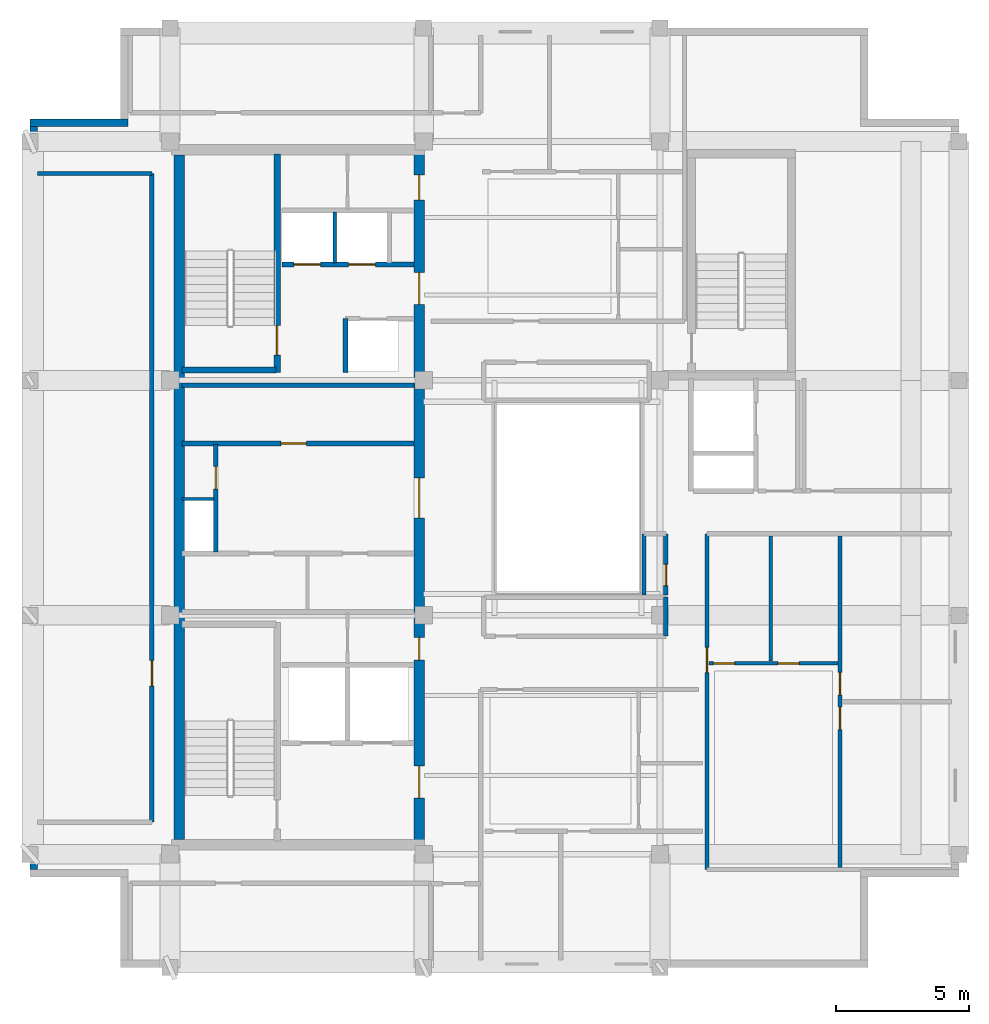
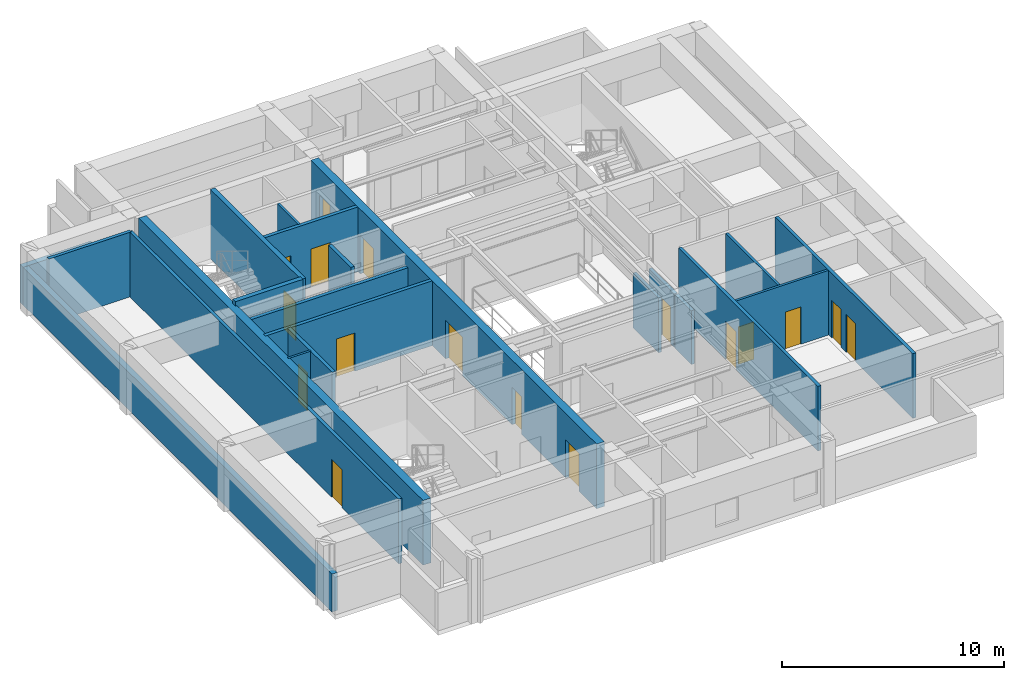
# One storey, part 3 of 6: 22 walls, 17 doors, 17 openings.
"""IFC4 building model written with IfcOpenShell, lengths in metres."""

import ifcopenshell
import ifcopenshell.guid

model = None  # the IFC model being written
_history = None  # IfcOwnerHistory: only IFC2X3 demands one
_inside = {}  # id of a spatial element -> (the spatial element, [elements in it])
_under = {}  # id of a project, library or spatial element -> (it, [spatial elements below it])
_declared = {}  # id of a project -> (the project, [libraries it declares])
_typed = {}  # id of a type object -> (the type object, [elements of that type])
_made_of = {}  # id of a material, layer set ... -> (it, [elements and type objects made of it])


def new_model(schema):
    """Start an empty IFC model of exactly this schema.

    Asked for "IFC4X3", IfcOpenShell would pick the latest addendum, in which some entities
    have other attributes; the version numbers below select the first issue.
    IFC2X3 requires an IfcOwnerHistory on every rooted entity: one is made here for all.
    """
    global model, _history
    if schema == "IFC4X3":
        model = ifcopenshell.file(schema_version=(4, 3, 0, 0))
    else:
        model = ifcopenshell.file(schema=schema)
    _inside.clear()
    _under.clear()
    _declared.clear()
    _typed.clear()
    _made_of.clear()
    _history = None
    if model.schema == "IFC2X3":
        org = make("IfcOrganization", Name="unknown")
        user = make(
            "IfcPersonAndOrganization",
            ThePerson=make("IfcPerson", FamilyName="unknown"),
            TheOrganization=org,
        )
        app = make(
            "IfcApplication",
            ApplicationDeveloper=org,
            Version="unknown",
            ApplicationFullName="unknown",
            ApplicationIdentifier="unknown",
        )
        _history = make(
            "IfcOwnerHistory",
            OwningUser=user,
            OwningApplication=app,
            ChangeAction="ADDED",
            CreationDate=0,
        )
    return model


def make(cls, **values):
    """One entity of the class cls with the attributes given. An attribute that is None is left unset."""
    return model.create_entity(
        cls, **{name: value for name, value in values.items() if value is not None}
    )


def rooted(cls, **values):
    """An entity with a GlobalId (a new one), such as an element, a storey or a relation."""
    return make(cls, GlobalId=ifcopenshell.guid.new(), OwnerHistory=_history, **values)


def si_unit(unit_type, name, prefix=None):
    """IfcSIUnit, for example si_unit("LENGTHUNIT", "METRE", prefix="MILLI")."""
    return make("IfcSIUnit", UnitType=unit_type, Prefix=prefix, Name=name)


def assignment(units):
    """IfcUnitAssignment: the units of a project."""
    return None if units is None else make("IfcUnitAssignment", Units=units)


def point(xyz):
    """IfcCartesianPoint."""
    return None if xyz is None else make("IfcCartesianPoint", Coordinates=xyz)


def direction(xyz):
    """IfcDirection."""
    return None if xyz is None else make("IfcDirection", DirectionRatios=xyz)


def frame(location, z_axis=None, x_axis=None):
    """IfcAxis2Placement3D, a coordinate frame: its origin and axes. An axis left out is left unset."""
    return make(
        "IfcAxis2Placement3D",
        Location=point(location),
        Axis=direction(z_axis),
        RefDirection=direction(x_axis),
    )


def frame_2d(location, x_axis=None):
    """IfcAxis2Placement2D, a coordinate frame in the plane: its origin and x axis."""
    return make(
        "IfcAxis2Placement2D", Location=point(location), RefDirection=direction(x_axis)
    )


def origin():
    """The frame at (0, 0, 0) with its axes left unset."""
    return frame((0.0, 0.0, 0.0))


def place(relative_to, where):
    """IfcLocalPlacement: puts the frame where relative to a parent placement (None: the world)."""
    return make(
        "IfcLocalPlacement", PlacementRelTo=relative_to, RelativePlacement=where
    )


def context(
    kind, dimensions, precision=None, world=None, true_north=None, identifier=None
):
    """IfcGeometricRepresentationContext, for example the 3D "Model" context."""
    return make(
        "IfcGeometricRepresentationContext",
        ContextIdentifier=identifier,
        ContextType=kind,
        CoordinateSpaceDimension=dimensions,
        Precision=precision,
        WorldCoordinateSystem=world,
        TrueNorth=true_north,
    )


def subcontext(parent, identifier, kind, view, scale=None):
    """IfcGeometricRepresentationSubContext, for example "Body" below "Model"."""
    return make(
        "IfcGeometricRepresentationSubContext",
        ContextIdentifier=identifier,
        ContextType=kind,
        ParentContext=parent,
        TargetScale=scale,
        TargetView=view,
    )


def project(units=None, contexts=None):
    """IfcProject with its units and contexts."""
    return rooted(
        "IfcProject",
        Name="project",
        RepresentationContexts=contexts,
        UnitsInContext=assignment(units),
    )


def spatial(cls, under=None, at=None, **own):
    """A site, building, storey or space (cls), placed at a placement, below another one or the project."""
    s = rooted(cls, ObjectPlacement=at, **own)
    if under is not None:
        _under.setdefault(under.id(), (under, []))[1].append(s)
    return s


def profile(cls, at=None, kind="AREA", **sizes):
    """A parametric profile (cls). Its sizes go by their IFC names, for example OverallWidth=200.0."""
    return make(cls, ProfileType=kind, Position=at, **sizes)


def rectangle(**sizes):
    """IfcRectangleProfileDef."""
    return profile("IfcRectangleProfileDef", **sizes)


def extrude(swept, where, along, depth):
    """IfcExtrudedAreaSolid: the profile swept, set in the frame where, extruded along a direction by depth."""
    return make(
        "IfcExtrudedAreaSolid",
        SweptArea=swept,
        Position=where,
        ExtrudedDirection=direction(along),
        Depth=depth,
    )


def shape(context_of_items, identifier, shape_type, items):
    """IfcShapeRepresentation: the items that make up one representation, for example the "Body"."""
    return make(
        "IfcShapeRepresentation",
        ContextOfItems=context_of_items,
        RepresentationIdentifier=identifier,
        RepresentationType=shape_type,
        Items=items,
    )


def material(Name=None, Category=None):
    """IfcMaterial."""
    return make("IfcMaterial", Name=Name, Category=Category)


def layer(
    of_material, thickness, ventilated=None, Name=None, Category=None, Priority=None
):
    """IfcMaterialLayer: one layer of a wall or slab, of a material (None: an air gap)."""
    return make(
        "IfcMaterialLayer",
        Material=of_material,
        LayerThickness=thickness,
        IsVentilated=ventilated,
        Name=Name,
        Category=Category,
        Priority=Priority,
    )


def layer_set(layers, Name=None):
    """IfcMaterialLayerSet."""
    return make("IfcMaterialLayerSet", MaterialLayers=layers, LayerSetName=Name)


def made_of(thing, what):
    """Note that an element or type object is made of a material, layer set ...; save() writes the relation."""
    if what is not None:
        _made_of.setdefault(what.id(), (what, []))[1].append(thing)
    return thing


def type_object(cls, material=None, **own):
    """A type object (cls), such as IfcWallType, which elements share."""
    return made_of(rooted(cls, **own), material)


def element(
    cls,
    number,
    at=None,
    inside=None,
    cuts=None,
    type_object=None,
    material=None,
    context=None,
    identifier="Body",
    shape_type=None,
    held_by="IfcProductDefinitionShape",
    body=None,
    shapes=None,
    **own,
):
    """One element of the class cls, such as IfcWall. Its Tag is "e" and its number.

    at: its placement. inside: the storey or other place that contains it. cuts: it is an
    opening in that element (IfcRelVoidsElement). A single representation is given by context,
    identifier, shape_type and body (its items); several are given by shapes. held_by: the class
    of the entity that holds the representations. save() writes the other relations.
    """
    e = rooted(cls, Tag="e%d" % number, ObjectPlacement=at, **own)
    if body is not None:
        shapes = [shape(context, identifier, shape_type, body)]
    if shapes is not None:
        e.Representation = make(held_by, Representations=shapes)
    if inside is not None:
        _inside.setdefault(inside.id(), (inside, []))[1].append(e)
    if cuts is not None:
        rooted(
            "IfcRelVoidsElement", RelatingBuildingElement=cuts, RelatedOpeningElement=e
        )
    if type_object is not None:
        _typed.setdefault(type_object.id(), (type_object, []))[1].append(e)
    return made_of(e, material)


def fill(opening, filler):
    """IfcRelFillsElement: the door or window that sits in an opening."""
    return rooted(
        "IfcRelFillsElement",
        RelatingOpeningElement=opening,
        RelatedBuildingElement=filler,
    )


def aggregate(whole, parts):
    """IfcRelAggregates: a whole, such as a stair, and the parts it consists of."""
    return rooted("IfcRelAggregates", RelatingObject=whole, RelatedObjects=parts)


def save(model, path):
    """Write the relations noted so far, then the file.

    IfcRelAggregates (storeys below a building ...), IfcRelContainedInSpatialStructure (elements
    in a storey), IfcRelDefinesByType, IfcRelAssociatesMaterial and IfcRelDeclares: one each for
    every whole, place, type object, material and project.
    """
    for whole, parts in _under.values():
        aggregate(whole, parts)
    for where, things in _inside.values():
        rooted(
            "IfcRelContainedInSpatialStructure",
            RelatedElements=things,
            RelatingStructure=where,
        )
    for kind, things in _typed.values():
        rooted("IfcRelDefinesByType", RelatedObjects=things, RelatingType=kind)
    for what, things in _made_of.values():
        rooted("IfcRelAssociatesMaterial", RelatedObjects=things, RelatingMaterial=what)
    for by, libraries in _declared.values():
        rooted("IfcRelDeclares", RelatingContext=by, RelatedDefinitions=libraries)
    model.write(path)


model = new_model("IFC4")

# Units and contexts
model_context = context("Model", 3, precision=1e-05, world=origin(), true_north=direction((0.0, 1.0)))
body_context = subcontext(model_context, "Body", "Model", "MODEL_VIEW")
ifc_project = project(units=[si_unit("LENGTHUNIT", "METRE"), si_unit("AREAUNIT", "SQUARE_METRE"), si_unit("VOLUMEUNIT", "CUBIC_METRE"), si_unit("PLANEANGLEUNIT", "RADIAN"), si_unit("MASSUNIT", "GRAM", prefix="KILO")], contexts=[model_context])

# Site, building, storey
site_placement = place(None, origin())
site = spatial("IfcSite", under=ifc_project, at=site_placement, CompositionType="ELEMENT")
building_placement = place(site_placement, origin())
building = spatial("IfcBuilding", under=site, at=building_placement, Name="Kundavana Baori Tower", CompositionType="ELEMENT")
storey_placement = place(building_placement, frame((0.0, 0.0, 331.5)))
storey = spatial("IfcBuildingStorey", under=building, at=storey_placement, Name="L82", CompositionType="ELEMENT", Elevation=331.5)

# Wall
ifc_material_1 = material(Name="Concrete C50/60", Category="concrete")
ifc_layer_1 = layer(ifc_material_1, 0.39990234375, Name="WL-CORE-400")
ifc_layer_set_1 = layer_set([ifc_layer_1], Name="Concrete C50/60")
wall_type_1 = type_object("IfcWallType", Name="WL-CORE-400", PredefinedType="SHEAR", material=ifc_layer_set_1)
wall_1_placement = place(storey_placement, frame((15.7900390625, 15.81005859375, 0.0), z_axis=(0.0, 0.0, 1.0), x_axis=(0.0, 1.0, 0.0)))
element("IfcWall", 1, at=wall_1_placement, inside=storey, type_object=wall_type_1, Name="L82 Offset Core West Shear Wall", PredefinedType="SHEAR", context=body_context, shape_type="SweptSolid", body=[
    extrude(rectangle(XDim=25.6298828125, YDim=0.39990234375, at=frame_2d((12.81494140625, 0.0))), origin(), (0.0, 0.0, 1.0), 3.56005859375),
])

# Wall, openings, doors
wall_2_placement = place(storey_placement, frame((24.780029296875, 15.739990234375, 0.0), z_axis=(0.0, 0.0, 1.0), x_axis=(0.0, 1.0, 0.0)))
wall_2 = element("IfcWall", 2, at=wall_2_placement, inside=storey, type_object=wall_type_1, Name="L82 Offset Core East Shear Wall", PredefinedType="SHEAR", context=body_context, shape_type="SweptSolid", body=[
    extrude(rectangle(XDim=25.760009765625, YDim=0.39990234375, at=frame_2d((12.8798828125, 0.0))), origin(), (0.0, 0.0, 1.0), 3.56005859375),
])
opening_1_placement = place(wall_2_placement, frame((1.610107421875, 0.0, 0.0)))
opening_1 = element("IfcOpeningElement", 3, at=opening_1_placement, cuts=wall_2, Name="Opening FD-120", PredefinedType="OPENING", context=body_context, shape_type="SweptSolid", body=[
    extrude(rectangle(XDim=1.199951171875, YDim=2.10009765625, at=frame_2d((0.60009765625, 1.050048828125))), frame((0.0, 0.2099609375, 0.0), z_axis=(0.0, -1.0, 0.0), x_axis=(1.0, 0.0, 0.0)), (0.0, 0.0, 1.0), 0.419921875),
])
opening_2_placement = place(wall_2_placement, frame((6.780029296875, 0.0, 0.0)))
opening_2 = element("IfcOpeningElement", 4, at=opening_2_placement, cuts=wall_2, Name="Opening FD-085", PredefinedType="OPENING", context=body_context, shape_type="SweptSolid", body=[
    extrude(rectangle(XDim=0.85009765625, YDim=2.06005859375, at=frame_2d((0.425048828125, 1.030029296875))), frame((0.0, 0.2099609375, 0.0), z_axis=(0.0, -1.0, 0.0), x_axis=(1.0, 0.0, 0.0)), (0.0, 0.0, 1.0), 0.419921875),
])
opening_3_placement = place(wall_2_placement, frame((12.110107421875, 0.0, 0.0)))
opening_3 = element("IfcOpeningElement", 5, at=opening_3_placement, cuts=wall_2, Name="Opening FD-150", PredefinedType="OPENING", context=body_context, shape_type="SweptSolid", body=[
    extrude(rectangle(XDim=1.5, YDim=2.1201171875, at=frame_2d((0.75, 1.06005859375))), frame((0.0, 0.2099609375, 0.0), z_axis=(0.0, -1.0, 0.0), x_axis=(1.0, 0.0, 0.0)), (0.0, 0.0, 1.0), 0.419921875),
])
opening_4_placement = place(wall_2_placement, frame((20.110107421875, 0.0, 0.0)))
opening_4 = element("IfcOpeningElement", 6, at=opening_4_placement, cuts=wall_2, Name="Opening FD-122", PredefinedType="OPENING", context=body_context, shape_type="SweptSolid", body=[
    extrude(rectangle(XDim=1.199951171875, YDim=2.1201171875, at=frame_2d((0.60009765625, 1.06005859375))), frame((0.0, 0.2099609375, 0.0), z_axis=(0.0, -1.0, 0.0), x_axis=(1.0, 0.0, 0.0)), (0.0, 0.0, 1.0), 0.419921875),
])
opening_5_placement = place(wall_2_placement, frame((24.010009765625, 0.0, 0.0)))
opening_5 = element("IfcOpeningElement", 7, at=opening_5_placement, cuts=wall_2, Name="Opening FD-095", PredefinedType="OPENING", context=body_context, shape_type="SweptSolid", body=[
    extrude(rectangle(XDim=0.949951171875, YDim=2.10009765625, at=frame_2d((0.47509765625, 1.050048828125))), frame((0.0, 0.2099609375, 0.0), z_axis=(0.0, -1.0, 0.0), x_axis=(1.0, 0.0, 0.0)), (0.0, 0.0, 1.0), 0.419921875),
])
ifc_material_2 = material(Name="Galvanised Steel Fire-Rated Door Leaf", Category="steel")
door_type_1 = type_object("IfcDoorType", Name="DR-FD120-1200", OperationType="NOTDEFINED", PredefinedType="DOOR", material=ifc_material_2)
door_1_placement = place(opening_1_placement, frame((1.199951171875, 0.0, 0.0), z_axis=(0.0, 0.0, 1.0), x_axis=(-1.0, 0.0, 0.0)))
door_1 = element("IfcDoor", 8, at=door_1_placement, inside=storey, type_object=door_type_1, Name="DR-L82-FFLOB-E", OperationType="SINGLE_SWING_RIGHT", OverallHeight=2.10009765625, OverallWidth=1.199951171875, PredefinedType="DOOR", context=body_context, shape_type="SweptSolid", body=[
    extrude(rectangle(XDim=1.199951171875, YDim=2.10009765625, at=frame_2d((0.60009765625, 1.050048828125))), frame((0.0, 0.02490234375, 0.0), z_axis=(0.0, -1.0, 0.0), x_axis=(1.0, 0.0, 0.0)), (0.0, 0.0, 1.0), 0.050048828125),
])
fill(opening_1, door_1)
ifc_material_3 = material(Name="Galvanised Steel Fire-Rated Door Leaf", Category="steel")
door_type_2 = type_object("IfcDoorType", Name="DR-FD60-1200", OperationType="NOTDEFINED", PredefinedType="DOOR", material=ifc_material_3)
door_2_placement = place(opening_4_placement, frame((1.199951171875, 0.0, 0.0), z_axis=(0.0, 0.0, 1.0), x_axis=(-1.0, 0.0, 0.0)))
door_2 = element("IfcDoor", 9, at=door_2_placement, inside=storey, type_object=door_type_2, Name="DR-L82-HRLOB-E", OperationType="SINGLE_SWING_RIGHT", OverallHeight=2.1201171875, OverallWidth=1.199951171875, PredefinedType="DOOR", context=body_context, shape_type="SweptSolid", body=[
    extrude(rectangle(XDim=1.199951171875, YDim=2.1201171875, at=frame_2d((0.60009765625, 1.06005859375))), frame((0.0, 0.02490234375, 0.0), z_axis=(0.0, -1.0, 0.0), x_axis=(1.0, 0.0, 0.0)), (0.0, 0.0, 1.0), 0.050048828125),
])
fill(opening_4, door_2)
ifc_material_4 = material(Name="Galvanised Steel Fire-Rated Door Leaf", Category="steel")
door_type_3 = type_object("IfcDoorType", Name="DR-FD60-1500", OperationType="NOTDEFINED", PredefinedType="DOOR", material=ifc_material_4)
door_3_placement = place(opening_3_placement, frame((1.5, 0.0, 0.0), z_axis=(0.0, 0.0, 1.0), x_axis=(-1.0, 0.0, 0.0)))
door_3 = element("IfcDoor", 10, at=door_3_placement, inside=storey, type_object=door_type_3, Name="DR-L82-LIFTHALL-E", OperationType="SINGLE_SWING_LEFT", OverallHeight=2.1201171875, OverallWidth=1.5, PredefinedType="DOOR", context=body_context, shape_type="SweptSolid", body=[
    extrude(rectangle(XDim=1.5, YDim=2.1201171875, at=frame_2d((0.75, 1.06005859375))), frame((0.0, 0.02490234375, 0.0), z_axis=(0.0, -1.0, 0.0), x_axis=(1.0, 0.0, 0.0)), (0.0, 0.0, 1.0), 0.050048828125),
])
fill(opening_3, door_3)
ifc_material_5 = material(Name="Galvanised Steel Fire-Rated Door Leaf", Category="steel")
door_type_4 = type_object("IfcDoorType", Name="DR-FD60-850", OperationType="NOTDEFINED", PredefinedType="DOOR", material=ifc_material_5)
door_4_placement = place(opening_2_placement, frame((0.85009765625, 0.0, 0.0), z_axis=(0.0, 0.0, 1.0), x_axis=(-1.0, 0.0, 0.0)))
door_4 = element("IfcDoor", 11, at=door_4_placement, inside=storey, type_object=door_type_4, Name="DR-L82-CSMK2", OperationType="SINGLE_SWING_RIGHT", OverallHeight=2.06005859375, OverallWidth=0.85009765625, PredefinedType="DOOR", context=body_context, shape_type="SweptSolid", body=[
    extrude(rectangle(XDim=0.85009765625, YDim=2.06005859375, at=frame_2d((0.425048828125, 1.030029296875))), frame((0.0, 0.02490234375, 0.0), z_axis=(0.0, -1.0, 0.0), x_axis=(1.0, 0.0, 0.0)), (0.0, 0.0, 1.0), 0.050048828125),
])
fill(opening_2, door_4)
ifc_material_6 = material(Name="Engineered Teak Fire-Rated Timber Door Leaf", Category="wood")
door_type_5 = type_object("IfcDoorType", Name="DR-FD60-950", OperationType="NOTDEFINED", PredefinedType="DOOR", material=ifc_material_6)
door_5_placement = place(opening_5_placement, frame((0.949951171875, 0.0, 0.0), z_axis=(0.0, 0.0, 1.0), x_axis=(-1.0, 0.0, 0.0)))
door_5 = element("IfcDoor", 12, at=door_5_placement, inside=storey, type_object=door_type_5, Name="DR-L82-CSRV2", OperationType="SINGLE_SWING_RIGHT", OverallHeight=2.10009765625, OverallWidth=0.949951171875, PredefinedType="DOOR", context=body_context, shape_type="SweptSolid", body=[
    extrude(rectangle(XDim=0.949951171875, YDim=2.10009765625, at=frame_2d((0.47509765625, 1.050048828125))), frame((0.0, 0.02490234375, 0.0), z_axis=(0.0, -1.0, 0.0), x_axis=(1.0, 0.0, 0.0)), (0.0, 0.0, 1.0), 0.050048828125),
])
fill(opening_5, door_5)

# Wall, opening, door
wall_3_placement = place(storey_placement, frame((19.4599609375, 33.300048828125, 0.0), z_axis=(0.0, 0.0, 1.0), x_axis=(0.0, 1.0, 0.0)))
wall_3 = element("IfcWall", 13, at=wall_3_placement, inside=storey, type_object=wall_type_1, Name="WL-L82-ST2-E", PredefinedType="SHEAR", context=body_context, shape_type="SweptSolid", body=[
    extrude(rectangle(XDim=8.179931640625, YDim=0.239990234375, at=frame_2d((4.08984375, 0.0))), origin(), (0.0, 0.0, 1.0), 3.800048828125),
])
opening_6_placement = place(wall_3_placement, frame((0.64990234375, 0.0, 0.0)))
opening_6 = element("IfcOpeningElement", 14, at=opening_6_placement, cuts=wall_3, Name="Opening FD-110", PredefinedType="OPENING", context=body_context, shape_type="SweptSolid", body=[
    extrude(rectangle(XDim=1.10009765625, YDim=2.10009765625, at=frame_2d((0.550048828125, 1.050048828125))), frame((0.0, 0.1298828125, 0.0), z_axis=(0.0, -1.0, 0.0), x_axis=(1.0, 0.0, 0.0)), (0.0, 0.0, 1.0), 0.260009765625),
])
ifc_material_7 = material(Name="Galvanised Steel Fire-Rated Door Leaf", Category="steel")
door_type_6 = type_object("IfcDoorType", Name="DR-FD120-1100", OperationType="NOTDEFINED", PredefinedType="DOOR", material=ifc_material_7)
door_6_placement = place(opening_6_placement, origin())
door_6 = element("IfcDoor", 15, at=door_6_placement, inside=storey, type_object=door_type_6, Name="DR-L82-ST2", OperationType="SINGLE_SWING_RIGHT", OverallHeight=2.10009765625, OverallWidth=1.10009765625, PredefinedType="DOOR", context=body_context, shape_type="SweptSolid", body=[
    extrude(rectangle(XDim=1.10009765625, YDim=2.10009765625, at=frame_2d((0.550048828125, 1.050048828125))), frame((0.0, 0.02490234375, 0.0), z_axis=(0.0, -1.0, 0.0), x_axis=(1.0, 0.0, 0.0)), (0.0, 0.0, 1.0), 0.050048828125),
])
fill(opening_6, door_6)

# Walls
wall_4_placement = place(storey_placement, frame((15.89990234375, 33.389892578125, 0.0), z_axis=(0.0, 0.0, 1.0), x_axis=(1.0, 0.0, 0.0)))
element("IfcWall", 16, at=wall_4_placement, inside=storey, type_object=wall_type_1, Name="WL-L82-ST2-S", PredefinedType="SHEAR", context=body_context, shape_type="SweptSolid", body=[
    extrude(rectangle(XDim=3.52001953125, YDim=0.239990234375, at=frame_2d((1.760009765625, 0.0))), origin(), (0.0, 0.0, 1.0), 3.800048828125),
])
ifc_material_8 = material(Name="Red-Buff Dholpur Sandstone Cladding on Concrete C40/50", Category="masonry")
ifc_layer_2 = layer(ifc_material_8, 0.280029296875, Name="WL-EXT-SAND-280")
ifc_layer_set_2 = layer_set([ifc_layer_2], Name="Red-Buff Dholpur Sandstone Cladding on Concrete C40/50")
wall_type_2 = type_object("IfcWallType", Name="WL-EXT-SAND-280", PredefinedType="STANDARD", material=ifc_layer_set_2)
wall_5_placement = place(storey_placement, frame((13.8798828125, 42.659912109375, 0.0), z_axis=(0.0, 0.0, 1.0), x_axis=(-1.0, 0.0, 0.0)))
element("IfcWall", 17, at=wall_5_placement, inside=storey, type_object=wall_type_2, Name="L82 Exterior Insulated Facade Wall 09", PredefinedType="STANDARD", context=body_context, shape_type="SweptSolid", body=[
    extrude(rectangle(XDim=3.679931640625, YDim=0.280029296875, at=frame_2d((1.83984375, 0.0))), origin(), (0.0, 0.0, 1.0), 2.080078125),
])
wall_6_placement = place(storey_placement, frame((10.340087890625, 42.52001953125, 0.0), z_axis=(0.0, 0.0, 1.0), x_axis=(0.0, -1.0, 0.0)))
element("IfcWall", 18, at=wall_6_placement, inside=storey, type_object=wall_type_2, Name="L82 Exterior Insulated Facade Wall 10", PredefinedType="STANDARD", context=body_context, shape_type="SweptSolid", body=[
    extrude(rectangle(XDim=27.840087890625, YDim=0.280029296875, at=frame_2d((13.919921875, 0.0))), origin(), (0.0, 0.0, 1.0), 2.080078125),
])
ifc_material_9 = material(Name="Acoustic Gypsum Plasterboard on Galvanised Steel Studs", Category="steel")
ifc_layer_3 = layer(ifc_material_9, 0.1201171875, Name="WL-PART-120")
ifc_layer_set_3 = layer_set([ifc_layer_3], Name="Acoustic Gypsum Plasterboard on Galvanised Steel Studs")
wall_type_3 = type_object("IfcWallType", Name="WL-PART-120", PredefinedType="PARTITIONING", material=ifc_layer_set_3)
wall_7_placement = place(storey_placement, frame((15.89990234375, 28.56005859375, 0.0), z_axis=(0.0, 0.0, 1.0), x_axis=(1.0, 0.0, 0.0)))
element("IfcWall", 19, at=wall_7_placement, inside=storey, type_object=wall_type_3, Name="WL-L82-RSRW-N", PredefinedType="PARTITIONING", context=body_context, shape_type="SweptSolid", body=[
    extrude(rectangle(XDim=1.2001953125, YDim=0.1201171875, at=frame_2d((0.60009765625, 0.0))), origin(), (0.0, 0.0, 1.0), 3.56005859375),
])
wall_8_placement = place(storey_placement, frame((21.6201171875, 37.39990234375, 0.0), z_axis=(0.0, 0.0, 1.0), x_axis=(0.0, 1.0, 0.0)))
element("IfcWall", 20, at=wall_8_placement, inside=storey, type_object=wall_type_3, Name="WL-L82-HR-DIV1", PredefinedType="PARTITIONING", context=body_context, shape_type="SweptSolid", body=[
    extrude(rectangle(XDim=1.900146484375, YDim=0.1201171875, at=frame_2d((0.9501953125, 0.0))), origin(), (0.0, 0.0, 1.0), 3.56005859375),
])

# Wall, opening, door
ifc_material_10 = material(Name="Fire-Rated Gypsum Drywall on Galvanised Steel Studs", Category="steel")
ifc_layer_4 = layer(ifc_material_10, 0.1650390625, Name="WL-PART-165")
ifc_layer_set_4 = layer_set([ifc_layer_4], Name="Fire-Rated Gypsum Drywall on Galvanised Steel Studs")
wall_type_4 = type_object("IfcWallType", Name="WL-PART-165", PredefinedType="PARTITIONING", material=ifc_layer_set_4)
wall_9_placement = place(storey_placement, frame((14.77001953125, 16.449951171875, 0.0), z_axis=(0.0, 0.0, 1.0), x_axis=(0.0, 1.0, 0.0)))
wall_9 = element("IfcWall", 21, at=wall_9_placement, inside=storey, type_object=wall_type_4, Name="WL-L82-RW", PredefinedType="PARTITIONING", context=body_context, shape_type="SweptSolid", body=[
    extrude(rectangle(XDim=24.300048828125, YDim=0.1650390625, at=frame_2d((12.14990234375, 0.0))), origin(), (0.0, 0.0, 1.0), 3.56005859375),
])
opening_7_placement = place(wall_9_placement, frame((5.10009765625, 0.0, 0.0)))
opening_7 = element("IfcOpeningElement", 22, at=opening_7_placement, cuts=wall_9, Name="Opening ID-095", PredefinedType="OPENING", context=body_context, shape_type="SweptSolid", body=[
    extrude(rectangle(XDim=0.949951171875, YDim=2.080078125, at=frame_2d((0.47509765625, 1.0400390625))), frame((0.0, 0.092529296875, 0.0), z_axis=(0.0, -1.0, 0.0), x_axis=(1.0, 0.0, 0.0)), (0.0, 0.0, 1.0), 0.18505859375),
])
ifc_material_11 = material(Name="Engineered Teak Solid-Core Timber Veneer", Category="wood")
door_type_7 = type_object("IfcDoorType", Name="DR-INT-950", OperationType="NOTDEFINED", PredefinedType="DOOR", material=ifc_material_11)
door_7_placement = place(opening_7_placement, origin())
door_7 = element("IfcDoor", 23, at=door_7_placement, inside=storey, type_object=door_type_7, Name="DR-L82-RLNGW", OperationType="SINGLE_SWING_LEFT", OverallHeight=2.080078125, OverallWidth=0.949951171875, PredefinedType="DOOR", context=body_context, shape_type="SweptSolid", body=[
    extrude(rectangle(XDim=0.949951171875, YDim=2.080078125, at=frame_2d((0.47509765625, 1.0400390625))), frame((0.0, 0.02490234375, 0.0), z_axis=(0.0, -1.0, 0.0), x_axis=(1.0, 0.0, 0.0)), (0.0, 0.0, 1.0), 0.050048828125),
])
fill(opening_7, door_7)

# Wall
wall_10_placement = place(storey_placement, frame((10.47998046875, 40.75, 0.0), z_axis=(0.0, 0.0, 1.0), x_axis=(1.0, 0.0, 0.0)))
element("IfcWall", 24, at=wall_10_placement, inside=storey, type_object=wall_type_4, Name="WL-L82-RWN", PredefinedType="PARTITIONING", context=body_context, shape_type="SweptSolid", body=[
    extrude(rectangle(XDim=4.2900390625, YDim=0.1650390625, at=frame_2d((2.14501953125, 0.0))), origin(), (0.0, 0.0, 1.0), 3.56005859375),
])

# Wall, opening, door
wall_11_placement = place(storey_placement, frame((35.56005859375, 14.679931640625, 0.0), z_axis=(0.0, 0.0, 1.0), x_axis=(0.0, 1.0, 0.0)))
wall_11 = element("IfcWall", 25, at=wall_11_placement, inside=storey, type_object=wall_type_4, Name="WL-L82-CSE", PredefinedType="PARTITIONING", context=body_context, shape_type="SweptSolid", body=[
    extrude(rectangle(XDim=12.570068359375, YDim=0.1650390625, at=frame_2d((6.28515625, 0.0))), origin(), (0.0, 0.0, 1.0), 3.56005859375),
])
opening_8_placement = place(wall_11_placement, frame((7.3701171875, 0.0, 0.0)))
opening_8 = element("IfcOpeningElement", 26, at=opening_8_placement, cuts=wall_11, Name="Opening FD-095", PredefinedType="OPENING", context=body_context, shape_type="SweptSolid", body=[
    extrude(rectangle(XDim=0.949951171875, YDim=2.10009765625, at=frame_2d((0.47509765625, 1.050048828125))), frame((0.0, 0.092529296875, 0.0), z_axis=(0.0, -1.0, 0.0), x_axis=(1.0, 0.0, 0.0)), (0.0, 0.0, 1.0), 0.18505859375),
])
door_8_placement = place(opening_8_placement, origin())
door_8 = element("IfcDoor", 27, at=door_8_placement, inside=storey, type_object=door_type_5, Name="DR-L82-SE1-ENT", OperationType="SINGLE_SWING_LEFT", OverallHeight=2.10009765625, OverallWidth=0.949951171875, PredefinedType="DOOR", context=body_context, shape_type="SweptSolid", body=[
    extrude(rectangle(XDim=0.949951171875, YDim=2.10009765625, at=frame_2d((0.47509765625, 1.050048828125))), frame((0.0, 0.02490234375, 0.0), z_axis=(0.0, -1.0, 0.0), x_axis=(1.0, 0.0, 0.0)), (0.0, 0.0, 1.0), 0.050048828125),
])
fill(opening_8, door_8)

# Wall, openings, doors
wall_12_placement = place(storey_placement, frame((40.54296875, 14.760009765625, 0.0), z_axis=(0.0, 0.0, 1.0), x_axis=(0.0, 1.0, 0.0)))
wall_12 = element("IfcWall", 28, at=wall_12_placement, inside=storey, type_object=wall_type_4, Name="WL-L82-SE1-VT", PredefinedType="PARTITIONING", context=body_context, shape_type="SweptSolid", body=[
    extrude(rectangle(XDim=12.409912109375, YDim=0.1650390625, at=frame_2d((6.205078125, 0.0))), origin(), (0.0, 0.0, 1.0), 3.56005859375),
])
opening_9_placement = place(wall_12_placement, frame((5.155029296875, 0.0, 0.0)))
opening_9 = element("IfcOpeningElement", 29, at=opening_9_placement, cuts=wall_12, Name="Opening ID-085", PredefinedType="OPENING", context=body_context, shape_type="SweptSolid", body=[
    extrude(rectangle(XDim=0.85009765625, YDim=2.080078125, at=frame_2d((0.425048828125, 1.0400390625))), frame((0.0, 0.092529296875, 0.0), z_axis=(0.0, -1.0, 0.0), x_axis=(1.0, 0.0, 0.0)), (0.0, 0.0, 1.0), 0.18505859375),
])
opening_10_placement = place(wall_12_placement, frame((6.455078125, 0.0, 0.0)))
opening_10 = element("IfcOpeningElement", 30, at=opening_10_placement, cuts=wall_12, Name="Opening ID-085", PredefinedType="OPENING", context=body_context, shape_type="SweptSolid", body=[
    extrude(rectangle(XDim=0.85009765625, YDim=2.080078125, at=frame_2d((0.425048828125, 1.0400390625))), frame((0.0, 0.092529296875, 0.0), z_axis=(0.0, -1.0, 0.0), x_axis=(1.0, 0.0, 0.0)), (0.0, 0.0, 1.0), 0.18505859375),
])
ifc_material_12 = material(Name="Engineered Teak Solid-Core Timber Veneer", Category="wood")
door_type_8 = type_object("IfcDoorType", Name="DR-INT-850", OperationType="NOTDEFINED", PredefinedType="DOOR", material=ifc_material_12)
door_9_placement = place(opening_9_placement, origin())
door_9 = element("IfcDoor", 31, at=door_9_placement, inside=storey, type_object=door_type_8, Name="DR-L82-SE1-B1", OperationType="SINGLE_SWING_LEFT", OverallHeight=2.080078125, OverallWidth=0.85009765625, PredefinedType="DOOR", context=body_context, shape_type="SweptSolid", body=[
    extrude(rectangle(XDim=0.85009765625, YDim=2.080078125, at=frame_2d((0.425048828125, 1.0400390625))), frame((0.0, 0.02490234375, 0.0), z_axis=(0.0, -1.0, 0.0), x_axis=(1.0, 0.0, 0.0)), (0.0, 0.0, 1.0), 0.050048828125),
])
fill(opening_9, door_9)
door_10_placement = place(opening_10_placement, origin())
door_10 = element("IfcDoor", 32, at=door_10_placement, inside=storey, type_object=door_type_8, Name="DR-L82-SE1-B2", OperationType="SINGLE_SWING_RIGHT", OverallHeight=2.080078125, OverallWidth=0.85009765625, PredefinedType="DOOR", context=body_context, shape_type="SweptSolid", body=[
    extrude(rectangle(XDim=0.85009765625, YDim=2.080078125, at=frame_2d((0.425048828125, 1.0400390625))), frame((0.0, 0.02490234375, 0.0), z_axis=(0.0, -1.0, 0.0), x_axis=(1.0, 0.0, 0.0)), (0.0, 0.0, 1.0), 0.050048828125),
])
fill(opening_10, door_10)

# Walls
wall_13_placement = place(storey_placement, frame((34.02001953125, 23.419921875, 0.0), z_axis=(0.0, 0.0, 1.0), x_axis=(0.0, 1.0, 0.0)))
element("IfcWall", 33, at=wall_13_placement, inside=storey, type_object=wall_type_4, Name="WL-L82-ALE", PredefinedType="PARTITIONING", context=body_context, shape_type="SweptSolid", body=[
    extrude(rectangle(XDim=1.4599609375, YDim=0.1650390625, at=frame_2d((0.72998046875, 0.0))), origin(), (0.0, 0.0, 1.0), 2.9599609375),
])
wall_14_placement = place(storey_placement, frame((33.199951171875, 24.9599609375, 0.0), z_axis=(0.0, 0.0, 1.0), x_axis=(0.0, 1.0, 0.0)))
element("IfcWall", 34, at=wall_14_placement, inside=storey, type_object=wall_type_4, Name="WL-L82-CEAW", PredefinedType="PARTITIONING", context=body_context, shape_type="SweptSolid", body=[
    extrude(rectangle(XDim=2.2900390625, YDim=0.1650390625, at=frame_2d((1.14501953125, 0.0))), origin(), (0.0, 0.0, 1.0), 3.010009765625),
])

# Wall, opening, door
wall_15_placement = place(storey_placement, frame((34.02001953125, 24.9599609375, 0.0), z_axis=(0.0, 0.0, 1.0), x_axis=(0.0, 1.0, 0.0)))
wall_15 = element("IfcWall", 35, at=wall_15_placement, inside=storey, type_object=wall_type_4, Name="WL-L82-CEAE", PredefinedType="PARTITIONING", context=body_context, shape_type="SweptSolid", body=[
    extrude(rectangle(XDim=2.2900390625, YDim=0.1650390625, at=frame_2d((1.14501953125, 0.0))), origin(), (0.0, 0.0, 1.0), 2.9599609375),
])
opening_11_placement = place(wall_15_placement, frame((0.35009765625, 0.0, 0.0)))
opening_11 = element("IfcOpeningElement", 36, at=opening_11_placement, cuts=wall_15, Name="Opening WD-080", PredefinedType="OPENING", context=body_context, shape_type="SweptSolid", body=[
    extrude(rectangle(XDim=0.800048828125, YDim=2.050048828125, at=frame_2d((0.39990234375, 1.02490234375))), frame((0.0, 0.092529296875, 0.0), z_axis=(0.0, -1.0, 0.0), x_axis=(1.0, 0.0, 0.0)), (0.0, 0.0, 1.0), 0.18505859375),
])
ifc_material_13 = material(Name="Engineered Teak Solid-Core Timber Veneer", Category="wood")
door_type_9 = type_object("IfcDoorType", Name="DR-WET-800", OperationType="NOTDEFINED", PredefinedType="DOOR", material=ifc_material_13)
door_11_placement = place(opening_11_placement, origin())
door_11 = element("IfcDoor", 37, at=door_11_placement, inside=storey, type_object=door_type_9, Name="DR-L82-CSTE", OperationType="SINGLE_SWING_LEFT", OverallHeight=2.050048828125, OverallWidth=0.800048828125, PredefinedType="DOOR", context=body_context, shape_type="SweptSolid", body=[
    extrude(rectangle(XDim=0.800048828125, YDim=2.050048828125, at=frame_2d((0.39990234375, 1.02490234375))), frame((0.0, 0.02490234375, 0.0), z_axis=(0.0, -1.0, 0.0), x_axis=(1.0, 0.0, 0.0)), (0.0, 0.0, 1.0), 0.050048828125),
])
fill(opening_11, door_11)

ifc_material_14 = material(Name="Autoclaved Aerated Concrete Blockwork Masonry", Category="masonry")
ifc_layer_5 = layer(ifc_material_14, 0.179931640625, Name="WL-SHAFT-180")
ifc_layer_set_5 = layer_set([ifc_layer_5], Name="Autoclaved Aerated Concrete Blockwork Masonry")
wall_type_5 = type_object("IfcWallType", Name="WL-SHAFT-180", PredefinedType="SOLIDWALL", material=ifc_layer_set_5)
wall_16_placement = place(storey_placement, frame((17.159912109375, 26.580078125, 0.0), z_axis=(0.0, 0.0, 1.0), x_axis=(0.0, 1.0, 0.0)))
wall_16 = element("IfcWall", 38, at=wall_16_placement, inside=storey, type_object=wall_type_5, Name="WL-L82-RSRW-E", PredefinedType="SOLIDWALL", context=body_context, shape_type="SweptSolid", body=[
    extrude(rectangle(XDim=4.02001953125, YDim=0.179931640625, at=frame_2d((2.010009765625, 0.0))), origin(), (0.0, 0.0, 1.0), 3.56005859375),
])
opening_12_placement = place(wall_16_placement, frame((2.35009765625, 0.0, 0.0)))
opening_12 = element("IfcOpeningElement", 39, at=opening_12_placement, cuts=wall_16, Name="Opening FD-085", PredefinedType="OPENING", context=body_context, shape_type="SweptSolid", body=[
    extrude(rectangle(XDim=0.85009765625, YDim=2.06005859375, at=frame_2d((0.425048828125, 1.030029296875))), frame((0.0, 0.10009765625, 0.0), z_axis=(0.0, -1.0, 0.0), x_axis=(1.0, 0.0, 0.0)), (0.0, 0.0, 1.0), 0.199951171875),
])
door_12_placement = place(opening_12_placement, origin())
door_12 = element("IfcDoor", 40, at=door_12_placement, inside=storey, type_object=door_type_4, Name="DR-L82-CLN", OperationType="SINGLE_SWING_RIGHT", OverallHeight=2.06005859375, OverallWidth=0.85009765625, PredefinedType="DOOR", context=body_context, shape_type="SweptSolid", body=[
    extrude(rectangle(XDim=0.85009765625, YDim=2.06005859375, at=frame_2d((0.425048828125, 1.030029296875))), frame((0.0, 0.02490234375, 0.0), z_axis=(0.0, -1.0, 0.0), x_axis=(1.0, 0.0, 0.0)), (0.0, 0.0, 1.0), 0.050048828125),
])
fill(opening_12, door_12)

wall_17_placement = place(storey_placement, frame((15.89990234375, 30.639892578125, 0.0), z_axis=(0.0, 0.0, 1.0), x_axis=(1.0, 0.0, 0.0)))
wall_17 = element("IfcWall", 41, at=wall_17_placement, inside=storey, type_object=wall_type_5, Name="WL-L82-LPMID-S", PredefinedType="SOLIDWALL", context=body_context, shape_type="SweptSolid", body=[
    extrude(rectangle(XDim=8.68017578125, YDim=0.179931640625, at=frame_2d((4.340087890625, 0.0))), origin(), (0.0, 0.0, 1.0), 3.56005859375),
])
opening_13_placement = place(wall_17_placement, frame((3.699951171875, 0.0, 0.0)))
opening_13 = element("IfcOpeningElement", 42, at=opening_13_placement, cuts=wall_17, Name="Opening FD-095", PredefinedType="OPENING", context=body_context, shape_type="SweptSolid", body=[
    extrude(rectangle(XDim=0.949951171875, YDim=2.10009765625, at=frame_2d((0.47509765625, 1.050048828125))), frame((0.0, 0.10009765625, 0.0), z_axis=(0.0, -1.0, 0.0), x_axis=(1.0, 0.0, 0.0)), (0.0, 0.0, 1.0), 0.199951171875),
])
door_13_placement = place(opening_13_placement, frame((0.949951171875, 0.0, 0.0), z_axis=(0.0, 0.0, 1.0), x_axis=(-1.0, 0.0, 0.0)))
door_13 = element("IfcDoor", 43, at=door_13_placement, inside=storey, type_object=door_type_5, Name="DR-L82-FRMID1", OperationType="SINGLE_SWING_RIGHT", OverallHeight=2.10009765625, OverallWidth=0.949951171875, PredefinedType="DOOR", context=body_context, shape_type="SweptSolid", body=[
    extrude(rectangle(XDim=0.949951171875, YDim=2.10009765625, at=frame_2d((0.47509765625, 1.050048828125))), frame((0.0, 0.02490234375, 0.0), z_axis=(0.0, -1.0, 0.0), x_axis=(1.0, 0.0, 0.0)), (0.0, 0.0, 1.0), 0.050048828125),
])
fill(opening_13, door_13)

# Walls
wall_18_placement = place(storey_placement, frame((15.89990234375, 32.820068359375, 0.0), z_axis=(0.0, 0.0, 1.0), x_axis=(1.0, 0.0, 0.0)))
element("IfcWall", 44, at=wall_18_placement, inside=storey, type_object=wall_type_5, Name="WL-L82-LPMID-N", PredefinedType="SOLIDWALL", context=body_context, shape_type="SweptSolid", body=[
    extrude(rectangle(XDim=8.68017578125, YDim=0.179931640625, at=frame_2d((4.340087890625, 0.0))), origin(), (0.0, 0.0, 1.0), 2.9599609375),
])
wall_19_placement = place(storey_placement, frame((22.02001953125, 33.300048828125, 0.0), z_axis=(0.0, 0.0, 1.0), x_axis=(0.0, 1.0, 0.0)))
element("IfcWall", 45, at=wall_19_placement, inside=storey, type_object=wall_type_5, Name="WL-L82-LP11-W", PredefinedType="SOLIDWALL", context=body_context, shape_type="SweptSolid", body=[
    extrude(rectangle(XDim=2.010009765625, YDim=0.179931640625, at=frame_2d((1.0048828125, 0.0))), origin(), (0.0, 0.0, 1.0), 3.56005859375),
])

# Wall, openings, doors
wall_20_placement = place(storey_placement, frame((19.639892578125, 37.340087890625, 0.0), z_axis=(0.0, 0.0, 1.0), x_axis=(1.0, 0.0, 0.0)))
wall_20 = element("IfcWall", 46, at=wall_20_placement, inside=storey, type_object=wall_type_5, Name="WL-L82-HRLOB-N", PredefinedType="SOLIDWALL", context=body_context, shape_type="SweptSolid", body=[
    extrude(rectangle(XDim=4.940185546875, YDim=0.179931640625, at=frame_2d((2.47021484375, 0.0))), origin(), (0.0, 0.0, 1.0), 3.56005859375),
])
opening_14_placement = place(wall_20_placement, frame((0.449951171875, 0.0, 0.0)))
opening_14 = element("IfcOpeningElement", 47, at=opening_14_placement, cuts=wall_20, Name="Opening LD-100", PredefinedType="OPENING", context=body_context, shape_type="SweptSolid", body=[
    extrude(rectangle(XDim=1.0, YDim=2.10009765625, at=frame_2d((0.5, 1.050048828125))), frame((0.0, 0.10009765625, 0.0), z_axis=(0.0, -1.0, 0.0), x_axis=(1.0, 0.0, 0.0)), (0.0, 0.0, 1.0), 0.199951171875),
])
opening_15_placement = place(wall_20_placement, frame((2.5, 0.0, 0.0)))
opening_15 = element("IfcOpeningElement", 48, at=opening_15_placement, cuts=wall_20, Name="Opening LD-100", PredefinedType="OPENING", context=body_context, shape_type="SweptSolid", body=[
    extrude(rectangle(XDim=1.0, YDim=2.10009765625, at=frame_2d((0.5, 1.050048828125))), frame((0.0, 0.10009765625, 0.0), z_axis=(0.0, -1.0, 0.0), x_axis=(1.0, 0.0, 0.0)), (0.0, 0.0, 1.0), 0.199951171875),
])
ifc_material_15 = material(Name="Galvanised Steel Fire-Rated Door Leaf", Category="steel")
door_type_10 = type_object("IfcDoorType", Name="DR-SLIDE-LD1000", OperationType="NOTDEFINED", PredefinedType="DOOR", material=ifc_material_15)
door_14_placement = place(opening_14_placement, frame((1.0, 0.0, 0.0), z_axis=(0.0, 0.0, 1.0), x_axis=(-1.0, 0.0, 0.0)))
door_14 = element("IfcDoor", 49, at=door_14_placement, inside=storey, type_object=door_type_10, Name="DR-L82-LD-LP09", OperationType="DOUBLE_DOOR_SLIDING", OverallHeight=2.10009765625, OverallWidth=1.0, PredefinedType="DOOR", context=body_context, shape_type="SweptSolid", body=[
    extrude(rectangle(XDim=1.0, YDim=2.10009765625, at=frame_2d((0.5, 1.050048828125))), frame((0.0, 0.02490234375, 0.0), z_axis=(0.0, -1.0, 0.0), x_axis=(1.0, 0.0, 0.0)), (0.0, 0.0, 1.0), 0.050048828125),
])
fill(opening_14, door_14)
door_15_placement = place(opening_15_placement, frame((1.0, 0.0, 0.0), z_axis=(0.0, 0.0, 1.0), x_axis=(-1.0, 0.0, 0.0)))
door_15 = element("IfcDoor", 50, at=door_15_placement, inside=storey, type_object=door_type_10, Name="DR-L82-LD-LP10", OperationType="DOUBLE_DOOR_SLIDING", OverallHeight=2.10009765625, OverallWidth=1.0, PredefinedType="DOOR", context=body_context, shape_type="SweptSolid", body=[
    extrude(rectangle(XDim=1.0, YDim=2.10009765625, at=frame_2d((0.5, 1.050048828125))), frame((0.0, 0.02490234375, 0.0), z_axis=(0.0, -1.0, 0.0), x_axis=(1.0, 0.0, 0.0)), (0.0, 0.0, 1.0), 0.050048828125),
])
fill(opening_15, door_15)

ifc_material_16 = material(Name="Autoclaved Aerated Concrete Blockwork Masonry", Category="masonry")
ifc_layer_6 = layer(ifc_material_16, 0.125, Name="WL-WET-120")
ifc_layer_set_6 = layer_set([ifc_layer_6], Name="Autoclaved Aerated Concrete Blockwork Masonry")
wall_type_6 = type_object("IfcWallType", Name="WL-WET-120", PredefinedType="PLUMBINGWALL", material=ifc_layer_set_6)
wall_21_placement = place(storey_placement, frame((35.639892578125, 22.39990234375, 0.0), z_axis=(0.0, 0.0, 1.0), x_axis=(1.0, 0.0, 0.0)))
wall_21 = element("IfcWall", 51, at=wall_21_placement, inside=storey, type_object=wall_type_6, Name="WL-L82-SE1-KH", PredefinedType="PLUMBINGWALL", context=body_context, shape_type="SweptSolid", body=[
    extrude(rectangle(XDim=4.822998046875, YDim=0.125, at=frame_2d((2.41162109375, 0.0))), origin(), (0.0, 0.0, 1.0), 3.56005859375),
])
opening_16_placement = place(wall_21_placement, frame((0.159912109375, 0.0, 0.0)))
opening_16 = element("IfcOpeningElement", 52, at=opening_16_placement, cuts=wall_21, Name="Opening WD-080", PredefinedType="OPENING", context=body_context, shape_type="SweptSolid", body=[
    extrude(rectangle(XDim=0.800048828125, YDim=2.050048828125, at=frame_2d((0.39990234375, 1.02490234375))), frame((0.0, 0.072509765625, 0.0), z_axis=(0.0, -1.0, 0.0), x_axis=(1.0, 0.0, 0.0)), (0.0, 0.0, 1.0), 0.14501953125),
])
opening_17_placement = place(wall_21_placement, frame((2.574951171875, 0.0, 0.0)))
opening_17 = element("IfcOpeningElement", 53, at=opening_17_placement, cuts=wall_21, Name="Opening WD-080", PredefinedType="OPENING", context=body_context, shape_type="SweptSolid", body=[
    extrude(rectangle(XDim=0.800048828125, YDim=2.050048828125, at=frame_2d((0.39990234375, 1.02490234375))), frame((0.0, 0.072509765625, 0.0), z_axis=(0.0, -1.0, 0.0), x_axis=(1.0, 0.0, 0.0)), (0.0, 0.0, 1.0), 0.14501953125),
])
door_16_placement = place(opening_16_placement, origin())
door_16 = element("IfcDoor", 54, at=door_16_placement, inside=storey, type_object=door_type_9, Name="DR-L82-SE1-BT", OperationType="SINGLE_SWING_LEFT", OverallHeight=2.050048828125, OverallWidth=0.800048828125, PredefinedType="DOOR", context=body_context, shape_type="SweptSolid", body=[
    extrude(rectangle(XDim=0.800048828125, YDim=2.050048828125, at=frame_2d((0.39990234375, 1.02490234375))), frame((0.0, 0.02490234375, 0.0), z_axis=(0.0, -1.0, 0.0), x_axis=(1.0, 0.0, 0.0)), (0.0, 0.0, 1.0), 0.050048828125),
])
fill(opening_16, door_16)
door_17_placement = place(opening_17_placement, origin())
door_17 = element("IfcDoor", 55, at=door_17_placement, inside=storey, type_object=door_type_9, Name="DR-L82-SE1-KT", OperationType="SINGLE_SWING_RIGHT", OverallHeight=2.050048828125, OverallWidth=0.800048828125, PredefinedType="DOOR", context=body_context, shape_type="SweptSolid", body=[
    extrude(rectangle(XDim=0.800048828125, YDim=2.050048828125, at=frame_2d((0.39990234375, 1.02490234375))), frame((0.0, 0.02490234375, 0.0), z_axis=(0.0, -1.0, 0.0), x_axis=(1.0, 0.0, 0.0)), (0.0, 0.0, 1.0), 0.050048828125),
])
fill(opening_17, door_17)

# Wall
wall_22_placement = place(storey_placement, frame((37.955078125, 22.47998046875, 0.0), z_axis=(0.0, 0.0, 1.0), x_axis=(0.0, 1.0, 0.0)))
element("IfcWall", 56, at=wall_22_placement, inside=storey, type_object=wall_type_6, Name="WL-L82-SE1-BV", PredefinedType="PLUMBINGWALL", context=body_context, shape_type="SweptSolid", body=[
    extrude(rectangle(XDim=4.68994140625, YDim=0.125, at=frame_2d((2.344970703125, 0.0))), origin(), (0.0, 0.0, 1.0), 3.56005859375),
])

save(model, "model.ifc")
